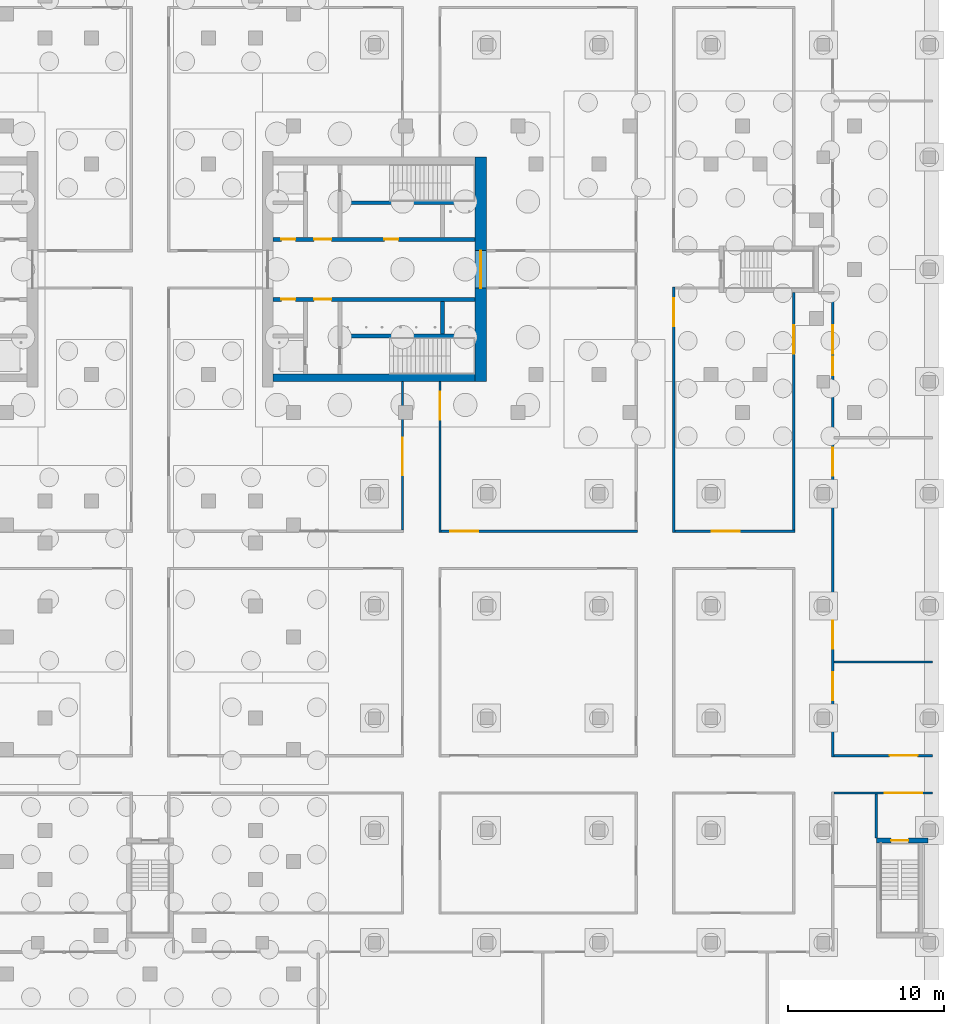
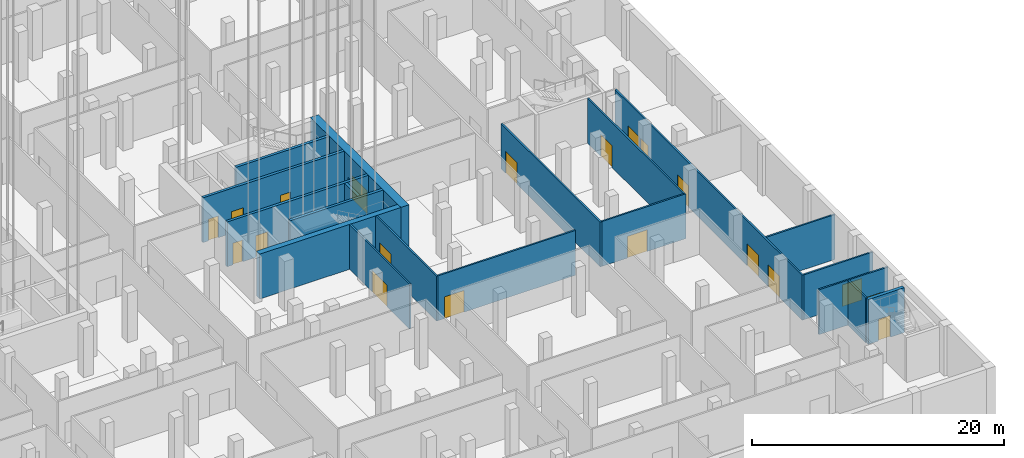
# One storey, part 13 of 54: 20 doors, 19 walls, 20 openings.
"""IFC4 building model written with IfcOpenShell, lengths in metres."""

from ifc_helpers import new_model, si_unit, direction, frame, frame_2d, origin, place, context, subcontext, project, spatial, rectangle, extrude, material, layer, layer_set, type_object, element, fill, save


model = new_model("IFC4")

# Units and contexts
model_context = context("Model", 3, precision=1e-05, world=origin(), true_north=direction((0.0, 1.0)))
body_context = subcontext(model_context, "Body", "Model", "MODEL_VIEW")
ifc_project = project(units=[si_unit("LENGTHUNIT", "METRE"), si_unit("AREAUNIT", "SQUARE_METRE"), si_unit("VOLUMEUNIT", "CUBIC_METRE"), si_unit("PLANEANGLEUNIT", "RADIAN"), si_unit("MASSUNIT", "GRAM", prefix="KILO")], contexts=[model_context])

# Site, building, storey
site_placement = place(None, origin())
site = spatial("IfcSite", under=ifc_project, at=site_placement, CompositionType="ELEMENT")
building_placement = place(site_placement, origin())
building = spatial("IfcBuilding", under=site, at=building_placement, Name="Fustian Cross Tower", CompositionType="ELEMENT")
storey_placement = place(building_placement, frame((0.0, 0.0, -4.800048828125)))
storey = spatial("IfcBuildingStorey", under=building, at=storey_placement, Name="B1", CompositionType="ELEMENT", Elevation=-4.800048828125)

# Wall, opening, door
ifc_material_1 = material(Name="Plasterboard on steel stud", Category="steel")
ifc_layer_1 = layer(ifc_material_1, 0.14990234375)
ifc_layer_set_1 = layer_set([ifc_layer_1], Name="Plasterboard on steel stud")
wall_type_1 = type_object("IfcWallType", Name="COMPARTMENT WALL 150 EI 60", PredefinedType="PARTITIONING", material=ifc_layer_set_1)
wall_1_placement = place(storey_placement, frame((16.199951171875, -16.72509765625, 0.0), z_axis=(0.0, 0.0, 1.0), x_axis=(0.0, 1.0, 0.0)))
wall_1 = element("IfcWall", 1, at=wall_1_placement, inside=storey, type_object=wall_type_1, Name="Partition 126", PredefinedType="PARTITIONING", context=body_context, shape_type="SweptSolid", body=[
    extrude(rectangle(XDim=9.525146484375, YDim=0.14990234375, at=frame_2d((4.7626953125, 0.0))), origin(), (0.0, 0.0, 1.0), 4.35009765625),
])
opening_1_placement = place(wall_1_placement, frame((3.52490234375, 0.0, 0.0)))
opening_1 = element("IfcOpeningElement", 2, at=opening_1_placement, cuts=wall_1, Name="Opening D01047", PredefinedType="OPENING", context=body_context, shape_type="SweptSolid", body=[
    extrude(rectangle(XDim=2.39990234375, YDim=2.10009765625, at=frame_2d((1.199951171875, 1.050048828125))), frame((0.0, 0.0849609375, 0.0), z_axis=(0.0, -1.0, 0.0), x_axis=(1.0, 0.0, 0.0)), (0.0, 0.0, 1.0), 0.169921875),
])
ifc_material_2 = material(Name="Timber fire door set", Category="wood")
door_type_1 = type_object("IfcDoorType", Name="FIRE DOUBLE DOOR 2400 FD30S", OperationType="DOUBLE_DOOR_DOUBLE_SWING", PredefinedType="DOOR", material=ifc_material_2)
door_1_placement = place(opening_1_placement, origin())
door_1 = element("IfcDoor", 3, at=door_1_placement, inside=storey, type_object=door_type_1, Name="Door D01047", OperationType="DOUBLE_DOOR_DOUBLE_SWING", OverallHeight=2.10009765625, OverallWidth=2.39990234375, PredefinedType="DOOR", context=body_context, shape_type="SweptSolid", body=[
    extrude(rectangle(XDim=2.39990234375, YDim=2.10009765625, at=frame_2d((1.199951171875, 1.050048828125))), frame((0.0, 0.02490234375, 0.0), z_axis=(0.0, -1.0, 0.0), x_axis=(1.0, 0.0, 0.0)), (0.0, 0.0, 1.0), 0.050048828125),
])
fill(opening_1, door_1)

wall_2_placement = place(storey_placement, frame((18.60009765625, -16.875, 0.0), z_axis=(0.0, 0.0, 1.0), x_axis=(0.0, 1.0, 0.0)))
wall_2 = element("IfcWall", 4, at=wall_2_placement, inside=storey, type_object=wall_type_1, Name="Partition 136", PredefinedType="PARTITIONING", context=body_context, shape_type="SweptSolid", body=[
    extrude(rectangle(XDim=9.675048828125, YDim=0.14990234375, at=frame_2d((4.83740234375, 0.0))), origin(), (0.0, 0.0, 1.0), 4.35009765625),
])
opening_2_placement = place(wall_2_placement, frame((7.22509765625, 0.0, 0.0)))
opening_2 = element("IfcOpeningElement", 5, at=opening_2_placement, cuts=wall_2, Name="Opening D01099", PredefinedType="OPENING", context=body_context, shape_type="SweptSolid", body=[
    extrude(rectangle(XDim=1.800048828125, YDim=2.10009765625, at=frame_2d((0.89990234375, 1.050048828125))), frame((0.0, 0.0849609375, 0.0), z_axis=(0.0, -1.0, 0.0), x_axis=(1.0, 0.0, 0.0)), (0.0, 0.0, 1.0), 0.169921875),
])
ifc_material_3 = material(Name="Timber fire door set", Category="wood")
door_type_2 = type_object("IfcDoorType", Name="FIRE DOUBLE DOOR 1800 FD30S", OperationType="DOUBLE_DOOR_DOUBLE_SWING", PredefinedType="DOOR", material=ifc_material_3)
door_2_placement = place(opening_2_placement, origin())
door_2 = element("IfcDoor", 6, at=door_2_placement, inside=storey, type_object=door_type_2, Name="Door D01099", OperationType="DOUBLE_DOOR_DOUBLE_SWING", OverallHeight=2.10009765625, OverallWidth=1.800048828125, PredefinedType="DOOR", context=body_context, shape_type="SweptSolid", body=[
    extrude(rectangle(XDim=1.800048828125, YDim=2.10009765625, at=frame_2d((0.89990234375, 1.050048828125))), frame((0.0, 0.02490234375, 0.0), z_axis=(0.0, -1.0, 0.0), x_axis=(1.0, 0.0, 0.0)), (0.0, 0.0, 1.0), 0.050048828125),
])
fill(opening_2, door_2)

wall_3_placement = place(storey_placement, frame((18.675048828125, -16.800048828125, 0.0), z_axis=(0.0, 0.0, 1.0), x_axis=(1.0, 0.0, 0.0)))
wall_3 = element("IfcWall", 7, at=wall_3_placement, inside=storey, type_object=wall_type_1, Name="Partition 137", PredefinedType="PARTITIONING", context=body_context, shape_type="SweptSolid", body=[
    extrude(rectangle(XDim=12.599853515625, YDim=0.14990234375, at=frame_2d((6.2998046875, 0.0))), origin(), (0.0, 0.0, 1.0), 4.35009765625),
])
opening_3_placement = place(wall_3_placement, frame((0.574951171875, 0.0, 0.0)))
opening_3 = element("IfcOpeningElement", 8, at=opening_3_placement, cuts=wall_3, Name="Opening D01100", PredefinedType="OPENING", context=body_context, shape_type="SweptSolid", body=[
    extrude(rectangle(XDim=1.800048828125, YDim=2.10009765625, at=frame_2d((0.89990234375, 1.050048828125))), frame((0.0, 0.0849609375, 0.0), z_axis=(0.0, -1.0, 0.0), x_axis=(1.0, 0.0, 0.0)), (0.0, 0.0, 1.0), 0.169921875),
])
door_3_placement = place(opening_3_placement, frame((1.800048828125, 0.0, 0.0), z_axis=(0.0, 0.0, 1.0), x_axis=(-1.0, 0.0, 0.0)))
door_3 = element("IfcDoor", 9, at=door_3_placement, inside=storey, type_object=door_type_2, Name="Door D01100", OperationType="DOUBLE_DOOR_DOUBLE_SWING", OverallHeight=2.10009765625, OverallWidth=1.800048828125, PredefinedType="DOOR", context=body_context, shape_type="SweptSolid", body=[
    extrude(rectangle(XDim=1.800048828125, YDim=2.10009765625, at=frame_2d((0.89990234375, 1.050048828125))), frame((0.0, 0.02490234375, 0.0), z_axis=(0.0, -1.0, 0.0), x_axis=(1.0, 0.0, 0.0)), (0.0, 0.0, 1.0), 0.050048828125),
])
fill(opening_3, door_3)

wall_4_placement = place(storey_placement, frame((33.60009765625, -16.875, 0.0), z_axis=(0.0, 0.0, 1.0), x_axis=(0.0, 1.0, 0.0)))
wall_4 = element("IfcWall", 10, at=wall_4_placement, inside=storey, type_object=wall_type_1, Name="Partition 161", PredefinedType="PARTITIONING", context=body_context, shape_type="SweptSolid", body=[
    extrude(rectangle(XDim=15.75, YDim=0.14990234375, at=frame_2d((7.875, 0.0))), origin(), (0.0, 0.0, 1.0), 4.35009765625),
])
opening_4_placement = place(wall_4_placement, frame((13.22509765625, 0.0, 0.0)))
opening_4 = element("IfcOpeningElement", 11, at=opening_4_placement, cuts=wall_4, Name="Opening D01172", PredefinedType="OPENING", context=body_context, shape_type="SweptSolid", body=[
    extrude(rectangle(XDim=1.800048828125, YDim=2.10009765625, at=frame_2d((0.89990234375, 1.050048828125))), frame((0.0, 0.0849609375, 0.0), z_axis=(0.0, -1.0, 0.0), x_axis=(1.0, 0.0, 0.0)), (0.0, 0.0, 1.0), 0.169921875),
])
door_4_placement = place(opening_4_placement, origin())
door_4 = element("IfcDoor", 12, at=door_4_placement, inside=storey, type_object=door_type_2, Name="Door D01172", OperationType="DOUBLE_DOOR_DOUBLE_SWING", OverallHeight=2.10009765625, OverallWidth=1.800048828125, PredefinedType="DOOR", context=body_context, shape_type="SweptSolid", body=[
    extrude(rectangle(XDim=1.800048828125, YDim=2.10009765625, at=frame_2d((0.89990234375, 1.050048828125))), frame((0.0, 0.02490234375, 0.0), z_axis=(0.0, -1.0, 0.0), x_axis=(1.0, 0.0, 0.0)), (0.0, 0.0, 1.0), 0.050048828125),
])
fill(opening_4, door_4)

wall_5_placement = place(storey_placement, frame((33.675048828125, -16.800048828125, 0.0), z_axis=(0.0, 0.0, 1.0), x_axis=(1.0, 0.0, 0.0)))
wall_5 = element("IfcWall", 13, at=wall_5_placement, inside=storey, type_object=wall_type_1, Name="Partition 162", PredefinedType="PARTITIONING", context=body_context, shape_type="SweptSolid", body=[
    extrude(rectangle(XDim=7.699951171875, YDim=0.14990234375, at=frame_2d((3.85009765625, 0.0))), origin(), (0.0, 0.0, 1.0), 4.35009765625),
])
opening_5_placement = place(wall_5_placement, frame((2.375, 0.0, 0.0)))
opening_5 = element("IfcOpeningElement", 14, at=opening_5_placement, cuts=wall_5, Name="Opening D01173", PredefinedType="OPENING", context=body_context, shape_type="SweptSolid", body=[
    extrude(rectangle(XDim=1.800048828125, YDim=2.10009765625, at=frame_2d((0.89990234375, 1.050048828125))), frame((0.0, 0.0849609375, 0.0), z_axis=(0.0, -1.0, 0.0), x_axis=(1.0, 0.0, 0.0)), (0.0, 0.0, 1.0), 0.169921875),
])
door_5_placement = place(opening_5_placement, frame((1.800048828125, 0.0, 0.0), z_axis=(0.0, 0.0, 1.0), x_axis=(-1.0, 0.0, 0.0)))
door_5 = element("IfcDoor", 15, at=door_5_placement, inside=storey, type_object=door_type_2, Name="Door D01173", OperationType="DOUBLE_DOOR_DOUBLE_SWING", OverallHeight=2.10009765625, OverallWidth=1.800048828125, PredefinedType="DOOR", context=body_context, shape_type="SweptSolid", body=[
    extrude(rectangle(XDim=1.800048828125, YDim=2.10009765625, at=frame_2d((0.89990234375, 1.050048828125))), frame((0.0, 0.02490234375, 0.0), z_axis=(0.0, -1.0, 0.0), x_axis=(1.0, 0.0, 0.0)), (0.0, 0.0, 1.0), 0.050048828125),
])
fill(opening_5, door_5)

wall_6_placement = place(storey_placement, frame((41.300048828125, -16.72509765625, 0.0), z_axis=(0.0, 0.0, 1.0), x_axis=(0.0, 1.0, 0.0)))
wall_6 = element("IfcWall", 16, at=wall_6_placement, inside=storey, type_object=wall_type_1, Name="Partition 177", PredefinedType="PARTITIONING", context=body_context, shape_type="SweptSolid", body=[
    extrude(rectangle(XDim=15.22509765625, YDim=0.14990234375, at=frame_2d((7.612548828125, 0.0))), origin(), (0.0, 0.0, 1.0), 4.35009765625),
])
opening_6_placement = place(wall_6_placement, frame((11.324951171875, 0.0, 0.0)))
opening_6 = element("IfcOpeningElement", 17, at=opening_6_placement, cuts=wall_6, Name="Opening D01174", PredefinedType="OPENING", context=body_context, shape_type="SweptSolid", body=[
    extrude(rectangle(XDim=1.800048828125, YDim=2.10009765625, at=frame_2d((0.89990234375, 1.050048828125))), frame((0.0, 0.0849609375, 0.0), z_axis=(0.0, -1.0, 0.0), x_axis=(1.0, 0.0, 0.0)), (0.0, 0.0, 1.0), 0.169921875),
])
door_6_placement = place(opening_6_placement, frame((1.800048828125, 0.0, 0.0), z_axis=(0.0, 0.0, 1.0), x_axis=(-1.0, 0.0, 0.0)))
door_6 = element("IfcDoor", 18, at=door_6_placement, inside=storey, type_object=door_type_2, Name="Door D01174", OperationType="DOUBLE_DOOR_DOUBLE_SWING", OverallHeight=2.10009765625, OverallWidth=1.800048828125, PredefinedType="DOOR", context=body_context, shape_type="SweptSolid", body=[
    extrude(rectangle(XDim=1.800048828125, YDim=2.10009765625, at=frame_2d((0.89990234375, 1.050048828125))), frame((0.0, 0.02490234375, 0.0), z_axis=(0.0, -1.0, 0.0), x_axis=(1.0, 0.0, 0.0)), (0.0, 0.0, 1.0), 0.050048828125),
])
fill(opening_6, door_6)

wall_7_placement = place(storey_placement, frame((43.875, -33.60009765625, 0.0), z_axis=(0.0, 0.0, 1.0), x_axis=(1.0, 0.0, 0.0)))
wall_7 = element("IfcWall", 19, at=wall_7_placement, inside=storey, type_object=wall_type_1, Name="Partition 185", PredefinedType="PARTITIONING", context=body_context, shape_type="SweptSolid", body=[
    extrude(rectangle(XDim=6.344970703125, YDim=0.14990234375, at=frame_2d((3.17236328125, 0.0))), origin(), (0.0, 0.0, 1.0), 4.35009765625),
])
opening_7_placement = place(wall_7_placement, frame((3.27490234375, 0.0, 0.0)))
opening_7 = element("IfcOpeningElement", 20, at=opening_7_placement, cuts=wall_7, Name="Opening D01046", PredefinedType="OPENING", context=body_context, shape_type="SweptSolid", body=[
    extrude(rectangle(XDim=2.39990234375, YDim=2.10009765625, at=frame_2d((1.199951171875, 1.050048828125))), frame((0.0, 0.0849609375, 0.0), z_axis=(0.0, -1.0, 0.0), x_axis=(1.0, 0.0, 0.0)), (0.0, 0.0, 1.0), 0.169921875),
])
door_7_placement = place(opening_7_placement, frame((2.39990234375, 0.0, 0.0), z_axis=(0.0, 0.0, 1.0), x_axis=(-1.0, 0.0, 0.0)))
door_7 = element("IfcDoor", 21, at=door_7_placement, inside=storey, type_object=door_type_1, Name="Door D01046", OperationType="DOUBLE_DOOR_DOUBLE_SWING", OverallHeight=2.10009765625, OverallWidth=2.39990234375, PredefinedType="DOOR", context=body_context, shape_type="SweptSolid", body=[
    extrude(rectangle(XDim=2.39990234375, YDim=2.10009765625, at=frame_2d((1.199951171875, 1.050048828125))), frame((0.0, 0.02490234375, 0.0), z_axis=(0.0, -1.0, 0.0), x_axis=(1.0, 0.0, 0.0)), (0.0, 0.0, 1.0), 0.050048828125),
])
fill(opening_7, door_7)

# Wall, openings, doors
wall_8_placement = place(storey_placement, frame((43.800048828125, -31.27490234375, 0.0), z_axis=(0.0, 0.0, 1.0), x_axis=(0.0, 1.0, 0.0)))
wall_8 = element("IfcWall", 22, at=wall_8_placement, inside=storey, type_object=wall_type_1, Name="Partition 186", PredefinedType="PARTITIONING", context=body_context, shape_type="SweptSolid", body=[
    extrude(rectangle(XDim=29.699951171875, YDim=0.14990234375, at=frame_2d((14.85009765625, 0.0))), origin(), (0.0, 0.0, 1.0), 4.35009765625),
])
opening_8_placement = place(wall_8_placement, frame((3.625, 0.0, 0.0)))
opening_8 = element("IfcOpeningElement", 23, at=opening_8_placement, cuts=wall_8, Name="Opening D01009", PredefinedType="OPENING", context=body_context, shape_type="SweptSolid", body=[
    extrude(rectangle(XDim=1.800048828125, YDim=2.10009765625, at=frame_2d((0.89990234375, 1.050048828125))), frame((0.0, 0.0849609375, 0.0), z_axis=(0.0, -1.0, 0.0), x_axis=(1.0, 0.0, 0.0)), (0.0, 0.0, 1.0), 0.169921875),
])
opening_9_placement = place(wall_8_placement, frame((24.47509765625, 0.0, 0.0)))
opening_9 = element("IfcOpeningElement", 24, at=opening_9_placement, cuts=wall_8, Name="Opening D01165", PredefinedType="OPENING", context=body_context, shape_type="SweptSolid", body=[
    extrude(rectangle(XDim=1.199951171875, YDim=2.10009765625, at=frame_2d((0.60009765625, 1.050048828125))), frame((0.0, 0.0849609375, 0.0), z_axis=(0.0, -1.0, 0.0), x_axis=(1.0, 0.0, 0.0)), (0.0, 0.0, 1.0), 0.169921875),
])
opening_10_placement = place(wall_8_placement, frame((25.875, 0.0, 0.0)))
opening_10 = element("IfcOpeningElement", 25, at=opening_10_placement, cuts=wall_8, Name="Opening D01166", PredefinedType="OPENING", context=body_context, shape_type="SweptSolid", body=[
    extrude(rectangle(XDim=1.800048828125, YDim=2.10009765625, at=frame_2d((0.89990234375, 1.050048828125))), frame((0.0, 0.0849609375, 0.0), z_axis=(0.0, -1.0, 0.0), x_axis=(1.0, 0.0, 0.0)), (0.0, 0.0, 1.0), 0.169921875),
])
opening_11_placement = place(wall_8_placement, frame((6.925048828125, 0.0, 0.0)))
opening_11 = element("IfcOpeningElement", 26, at=opening_11_placement, cuts=wall_8, Name="Opening D01177", PredefinedType="OPENING", context=body_context, shape_type="SweptSolid", body=[
    extrude(rectangle(XDim=1.800048828125, YDim=2.10009765625, at=frame_2d((0.89990234375, 1.050048828125))), frame((0.0, 0.0849609375, 0.0), z_axis=(0.0, -1.0, 0.0), x_axis=(1.0, 0.0, 0.0)), (0.0, 0.0, 1.0), 0.169921875),
])
opening_12_placement = place(wall_8_placement, frame((18.02490234375, 0.0, 0.0)))
opening_12 = element("IfcOpeningElement", 27, at=opening_12_placement, cuts=wall_8, Name="Opening D01178", PredefinedType="OPENING", context=body_context, shape_type="SweptSolid", body=[
    extrude(rectangle(XDim=1.800048828125, YDim=2.10009765625, at=frame_2d((0.89990234375, 1.050048828125))), frame((0.0, 0.0849609375, 0.0), z_axis=(0.0, -1.0, 0.0), x_axis=(1.0, 0.0, 0.0)), (0.0, 0.0, 1.0), 0.169921875),
])
door_8_placement = place(opening_8_placement, origin())
door_8 = element("IfcDoor", 28, at=door_8_placement, inside=storey, type_object=door_type_2, Name="Door D01009", OperationType="DOUBLE_DOOR_DOUBLE_SWING", OverallHeight=2.10009765625, OverallWidth=1.800048828125, PredefinedType="DOOR", context=body_context, shape_type="SweptSolid", body=[
    extrude(rectangle(XDim=1.800048828125, YDim=2.10009765625, at=frame_2d((0.89990234375, 1.050048828125))), frame((0.0, 0.02490234375, 0.0), z_axis=(0.0, -1.0, 0.0), x_axis=(1.0, 0.0, 0.0)), (0.0, 0.0, 1.0), 0.050048828125),
])
fill(opening_8, door_8)
door_9_placement = place(opening_10_placement, origin())
door_9 = element("IfcDoor", 29, at=door_9_placement, inside=storey, type_object=door_type_2, Name="Door D01166", OperationType="DOUBLE_DOOR_DOUBLE_SWING", OverallHeight=2.10009765625, OverallWidth=1.800048828125, PredefinedType="DOOR", context=body_context, shape_type="SweptSolid", body=[
    extrude(rectangle(XDim=1.800048828125, YDim=2.10009765625, at=frame_2d((0.89990234375, 1.050048828125))), frame((0.0, 0.02490234375, 0.0), z_axis=(0.0, -1.0, 0.0), x_axis=(1.0, 0.0, 0.0)), (0.0, 0.0, 1.0), 0.050048828125),
])
fill(opening_10, door_9)
door_10_placement = place(opening_11_placement, origin())
door_10 = element("IfcDoor", 30, at=door_10_placement, inside=storey, type_object=door_type_2, Name="Door D01177", OperationType="DOUBLE_DOOR_DOUBLE_SWING", OverallHeight=2.10009765625, OverallWidth=1.800048828125, PredefinedType="DOOR", context=body_context, shape_type="SweptSolid", body=[
    extrude(rectangle(XDim=1.800048828125, YDim=2.10009765625, at=frame_2d((0.89990234375, 1.050048828125))), frame((0.0, 0.02490234375, 0.0), z_axis=(0.0, -1.0, 0.0), x_axis=(1.0, 0.0, 0.0)), (0.0, 0.0, 1.0), 0.050048828125),
])
fill(opening_11, door_10)
door_11_placement = place(opening_12_placement, origin())
door_11 = element("IfcDoor", 31, at=door_11_placement, inside=storey, type_object=door_type_2, Name="Door D01178", OperationType="DOUBLE_DOOR_DOUBLE_SWING", OverallHeight=2.10009765625, OverallWidth=1.800048828125, PredefinedType="DOOR", context=body_context, shape_type="SweptSolid", body=[
    extrude(rectangle(XDim=1.800048828125, YDim=2.10009765625, at=frame_2d((0.89990234375, 1.050048828125))), frame((0.0, 0.02490234375, 0.0), z_axis=(0.0, -1.0, 0.0), x_axis=(1.0, 0.0, 0.0)), (0.0, 0.0, 1.0), 0.050048828125),
])
fill(opening_12, door_11)
ifc_material_4 = material(Name="Timber fire door set", Category="wood")
door_type_3 = type_object("IfcDoorType", Name="FIRE SWING DOOR 1200 FD30S", OperationType="SINGLE_SWING_LEFT", PredefinedType="DOOR", material=ifc_material_4)
door_12_placement = place(opening_9_placement, origin())
door_12 = element("IfcDoor", 32, at=door_12_placement, inside=storey, type_object=door_type_3, Name="Door D01165", OperationType="SINGLE_SWING_RIGHT", OverallHeight=2.10009765625, OverallWidth=1.199951171875, PredefinedType="DOOR", context=body_context, shape_type="SweptSolid", body=[
    extrude(rectangle(XDim=1.199951171875, YDim=2.10009765625, at=frame_2d((0.60009765625, 1.050048828125))), frame((0.0, 0.02490234375, 0.0), z_axis=(0.0, -1.0, 0.0), x_axis=(1.0, 0.0, 0.0)), (0.0, 0.0, 1.0), 0.050048828125),
])
fill(opening_9, door_12)

# Wall, opening, door
wall_9_placement = place(storey_placement, frame((43.875, -31.199951171875, 0.0), z_axis=(0.0, 0.0, 1.0), x_axis=(1.0, 0.0, 0.0)))
wall_9 = element("IfcWall", 33, at=wall_9_placement, inside=storey, type_object=wall_type_1, Name="Partition 187", PredefinedType="PARTITIONING", context=body_context, shape_type="SweptSolid", body=[
    extrude(rectangle(XDim=6.344970703125, YDim=0.14990234375, at=frame_2d((3.17236328125, 0.0))), origin(), (0.0, 0.0, 1.0), 4.35009765625),
])
opening_13_placement = place(wall_9_placement, frame((3.574951171875, 0.0, 0.0)))
opening_13 = element("IfcOpeningElement", 34, at=opening_13_placement, cuts=wall_9, Name="Opening D01010", PredefinedType="OPENING", context=body_context, shape_type="SweptSolid", body=[
    extrude(rectangle(XDim=1.800048828125, YDim=2.10009765625, at=frame_2d((0.89990234375, 1.050048828125))), frame((0.0, 0.0849609375, 0.0), z_axis=(0.0, -1.0, 0.0), x_axis=(1.0, 0.0, 0.0)), (0.0, 0.0, 1.0), 0.169921875),
])
door_13_placement = place(opening_13_placement, frame((1.800048828125, 0.0, 0.0), z_axis=(0.0, 0.0, 1.0), x_axis=(-1.0, 0.0, 0.0)))
door_13 = element("IfcDoor", 35, at=door_13_placement, inside=storey, type_object=door_type_2, Name="Door D01010", OperationType="DOUBLE_DOOR_DOUBLE_SWING", OverallHeight=2.10009765625, OverallWidth=1.800048828125, PredefinedType="DOOR", context=body_context, shape_type="SweptSolid", body=[
    extrude(rectangle(XDim=1.800048828125, YDim=2.10009765625, at=frame_2d((0.89990234375, 1.050048828125))), frame((0.0, 0.02490234375, 0.0), z_axis=(0.0, -1.0, 0.0), x_axis=(1.0, 0.0, 0.0)), (0.0, 0.0, 1.0), 0.050048828125),
])
fill(opening_13, door_13)

# Walls
wall_10_placement = place(storey_placement, frame((43.875, -25.199951171875, 0.0), z_axis=(0.0, 0.0, 1.0), x_axis=(1.0, 0.0, 0.0)))
element("IfcWall", 36, at=wall_10_placement, inside=storey, type_object=wall_type_1, Name="Partition 188", PredefinedType="PARTITIONING", context=body_context, shape_type="SweptSolid", body=[
    extrude(rectangle(XDim=6.344970703125, YDim=0.14990234375, at=frame_2d((3.17236328125, 0.0))), origin(), (0.0, 0.0, 1.0), 4.35009765625),
])
wall_11_placement = place(storey_placement, frame((46.60009765625, -36.5, 0.0), z_axis=(0.0, 0.0, 1.0), x_axis=(0.0, 1.0, 0.0)))
element("IfcWall", 37, at=wall_11_placement, inside=storey, type_object=wall_type_1, Name="Partition 197", PredefinedType="PARTITIONING", context=body_context, shape_type="SweptSolid", body=[
    extrude(rectangle(XDim=2.824951171875, YDim=0.14990234375, at=frame_2d((1.41259765625, 0.0))), origin(), (0.0, 0.0, 1.0), 4.35009765625),
])
ifc_material_5 = material(Name="Concrete C80/95", Category="concrete")
ifc_layer_2 = layer(ifc_material_5, 0.5)
ifc_layer_set_2 = layer_set([ifc_layer_2], Name="Concrete C80/95")
wall_type_2 = type_object("IfcWallType", Name="CORE BASE WALL 500 C80/95", PredefinedType="SHEAR", material=ifc_layer_set_2)
wall_12_placement = place(storey_placement, frame((7.89990234375, -6.949951171875, 0.0), z_axis=(0.0, 0.0, 1.0), x_axis=(1.0, 0.0, 0.0)))
element("IfcWall", 38, at=wall_12_placement, inside=storey, type_object=wall_type_2, Name="Core facade wall", PredefinedType="SHEAR", context=body_context, shape_type="SweptSolid", body=[
    extrude(rectangle(XDim=12.9501953125, YDim=0.5, at=frame_2d((6.47509765625, 0.0))), origin(), (0.0, 0.0, 1.0), 4.35009765625),
])

# Wall, opening, door
ifc_material_6 = material(Name="Concrete C80/95", Category="concrete")
ifc_layer_3 = layer(ifc_material_6, 0.75)
ifc_layer_set_3 = layer_set([ifc_layer_3], Name="Concrete C80/95")
wall_type_3 = type_object("IfcWallType", Name="CORE END WALL 750 C80/95", PredefinedType="SHEAR", material=ifc_layer_set_3)
wall_13_placement = place(storey_placement, frame((21.22509765625, -7.199951171875, 0.0), z_axis=(0.0, 0.0, 1.0), x_axis=(0.0, 1.0, 0.0)))
wall_13 = element("IfcWall", 39, at=wall_13_placement, inside=storey, type_object=wall_type_3, Name="Core end wall", PredefinedType="SHEAR", context=body_context, shape_type="SweptSolid", body=[
    extrude(rectangle(XDim=14.39990234375, YDim=0.75, at=frame_2d((7.199951171875, 0.0))), origin(), (0.0, 0.0, 1.0), 4.35009765625),
])
opening_14_placement = place(wall_13_placement, frame((6.0, 0.0, 0.0)))
opening_14 = element("IfcOpeningElement", 40, at=opening_14_placement, cuts=wall_13, Name="Opening CD-01-10", PredefinedType="OPENING", context=body_context, shape_type="SweptSolid", body=[
    extrude(rectangle(XDim=2.39990234375, YDim=2.199951171875, at=frame_2d((1.199951171875, 1.10009765625))), frame((0.0, 0.385009765625, 0.0), z_axis=(0.0, -1.0, 0.0), x_axis=(1.0, 0.0, 0.0)), (0.0, 0.0, 1.0), 0.77001953125),
])
ifc_material_7 = material(Name="Steel", Category="steel")
door_type_4 = type_object("IfcDoorType", Name="FIRE DOOR FD30S DOUBLE 2400X2200", OperationType="DOUBLE_DOOR_DOUBLE_SWING", PredefinedType="DOOR", material=ifc_material_7)
door_14_placement = place(opening_14_placement, origin())
door_14 = element("IfcDoor", 41, at=door_14_placement, inside=storey, type_object=door_type_4, Name="Core door CD-01-10", OperationType="DOUBLE_DOOR_DOUBLE_SWING", OverallHeight=2.199951171875, OverallWidth=2.39990234375, PredefinedType="DOOR", context=body_context, shape_type="SweptSolid", body=[
    extrude(rectangle(XDim=2.39990234375, YDim=2.199951171875, at=frame_2d((1.199951171875, 1.10009765625))), frame((0.0, 0.02490234375, 0.0), z_axis=(0.0, -1.0, 0.0), x_axis=(1.0, 0.0, 0.0)), (0.0, 0.0, 1.0), 0.050048828125),
])
fill(opening_14, door_14)

# Wall, openings, doors
ifc_material_8 = material(Name="Concrete C50/60", Category="concrete")
ifc_layer_4 = layer(ifc_material_8, 0.25)
ifc_layer_set_4 = layer_set([ifc_layer_4], Name="Concrete C50/60")
wall_type_4 = type_object("IfcWallType", Name="CORE LOBBY WALL 250 C50/60", PredefinedType="SHEAR", material=ifc_layer_set_4)
wall_14_placement = place(storey_placement, frame((7.89990234375, 1.925048828125, 0.0), z_axis=(0.0, 0.0, 1.0), x_axis=(1.0, 0.0, 0.0)))
wall_14 = element("IfcWall", 42, at=wall_14_placement, inside=storey, type_object=wall_type_4, Name="Core lobby wall", PredefinedType="SHEAR", context=body_context, shape_type="SweptSolid", body=[
    extrude(rectangle(XDim=12.9501953125, YDim=0.25, at=frame_2d((6.47509765625, 0.0))), origin(), (0.0, 0.0, 1.0), 4.35009765625),
])
opening_15_placement = place(wall_14_placement, frame((0.52490234375, 0.0, 0.0)))
opening_15 = element("IfcOpeningElement", 43, at=opening_15_placement, cuts=wall_14, Name="Opening CD-01-05", PredefinedType="OPENING", context=body_context, shape_type="SweptSolid", body=[
    extrude(rectangle(XDim=0.89990234375, YDim=2.10009765625, at=frame_2d((0.449951171875, 1.050048828125))), frame((0.0, 0.135009765625, 0.0), z_axis=(0.0, -1.0, 0.0), x_axis=(1.0, 0.0, 0.0)), (0.0, 0.0, 1.0), 0.27001953125),
])
opening_16_placement = place(wall_14_placement, frame((2.625, 0.0, 0.0)))
opening_16 = element("IfcOpeningElement", 44, at=opening_16_placement, cuts=wall_14, Name="Opening CD-01-07", PredefinedType="OPENING", context=body_context, shape_type="SweptSolid", body=[
    extrude(rectangle(XDim=1.10009765625, YDim=2.10009765625, at=frame_2d((0.550048828125, 1.050048828125))), frame((0.0, 0.135009765625, 0.0), z_axis=(0.0, -1.0, 0.0), x_axis=(1.0, 0.0, 0.0)), (0.0, 0.0, 1.0), 0.27001953125),
])
opening_17_placement = place(wall_14_placement, frame((7.125, 0.0, 0.0)))
opening_17 = element("IfcOpeningElement", 45, at=opening_17_placement, cuts=wall_14, Name="Opening CD-01-11", PredefinedType="OPENING", context=body_context, shape_type="SweptSolid", body=[
    extrude(rectangle(XDim=0.89990234375, YDim=2.10009765625, at=frame_2d((0.449951171875, 1.050048828125))), frame((0.0, 0.135009765625, 0.0), z_axis=(0.0, -1.0, 0.0), x_axis=(1.0, 0.0, 0.0)), (0.0, 0.0, 1.0), 0.27001953125),
])
ifc_material_9 = material(Name="Steel", Category="steel")
door_type_5 = type_object("IfcDoorType", Name="FIRE DOOR FD30S 900X2100", OperationType="SINGLE_SWING_LEFT", PredefinedType="DOOR", material=ifc_material_9)
door_15_placement = place(opening_17_placement, origin())
door_15 = element("IfcDoor", 46, at=door_15_placement, inside=storey, type_object=door_type_5, Name="Core door CD-01-11", OperationType="SINGLE_SWING_LEFT", OverallHeight=2.10009765625, OverallWidth=0.89990234375, PredefinedType="DOOR", context=body_context, shape_type="SweptSolid", body=[
    extrude(rectangle(XDim=0.89990234375, YDim=2.10009765625, at=frame_2d((0.449951171875, 1.050048828125))), frame((0.0, 0.02490234375, 0.0), z_axis=(0.0, -1.0, 0.0), x_axis=(1.0, 0.0, 0.0)), (0.0, 0.0, 1.0), 0.050048828125),
])
fill(opening_17, door_15)
ifc_material_10 = material(Name="Steel", Category="steel")
door_type_6 = type_object("IfcDoorType", Name="FIRE DOOR FD60S 1100X2100", OperationType="SINGLE_SWING_LEFT", PredefinedType="DOOR", material=ifc_material_10)
door_16_placement = place(opening_16_placement, frame((1.10009765625, 0.0, 0.0), z_axis=(0.0, 0.0, 1.0), x_axis=(-1.0, 0.0, 0.0)))
door_16 = element("IfcDoor", 47, at=door_16_placement, inside=storey, type_object=door_type_6, Name="Core door CD-01-07", OperationType="SINGLE_SWING_RIGHT", OverallHeight=2.10009765625, OverallWidth=1.10009765625, PredefinedType="DOOR", context=body_context, shape_type="SweptSolid", body=[
    extrude(rectangle(XDim=1.10009765625, YDim=2.10009765625, at=frame_2d((0.550048828125, 1.050048828125))), frame((0.0, 0.02490234375, 0.0), z_axis=(0.0, -1.0, 0.0), x_axis=(1.0, 0.0, 0.0)), (0.0, 0.0, 1.0), 0.050048828125),
])
fill(opening_16, door_16)
ifc_material_11 = material(Name="Steel", Category="steel")
door_type_7 = type_object("IfcDoorType", Name="FIRE DOOR FD60S 900X2100", OperationType="SINGLE_SWING_LEFT", PredefinedType="DOOR", material=ifc_material_11)
door_17_placement = place(opening_15_placement, origin())
door_17 = element("IfcDoor", 48, at=door_17_placement, inside=storey, type_object=door_type_7, Name="Core door CD-01-05", OperationType="SINGLE_SWING_LEFT", OverallHeight=2.10009765625, OverallWidth=0.89990234375, PredefinedType="DOOR", context=body_context, shape_type="SweptSolid", body=[
    extrude(rectangle(XDim=0.89990234375, YDim=2.10009765625, at=frame_2d((0.449951171875, 1.050048828125))), frame((0.0, 0.02490234375, 0.0), z_axis=(0.0, -1.0, 0.0), x_axis=(1.0, 0.0, 0.0)), (0.0, 0.0, 1.0), 0.050048828125),
])
fill(opening_15, door_17)

wall_15_placement = place(storey_placement, frame((7.89990234375, -1.925048828125, 0.0), z_axis=(0.0, 0.0, 1.0), x_axis=(1.0, 0.0, 0.0)))
wall_15 = element("IfcWall", 49, at=wall_15_placement, inside=storey, type_object=wall_type_4, Name="Core lobby wall", PredefinedType="SHEAR", context=body_context, shape_type="SweptSolid", body=[
    extrude(rectangle(XDim=12.9501953125, YDim=0.25, at=frame_2d((6.47509765625, 0.0))), origin(), (0.0, 0.0, 1.0), 4.35009765625),
])
opening_18_placement = place(wall_15_placement, frame((0.52490234375, 0.0, 0.0)))
opening_18 = element("IfcOpeningElement", 50, at=opening_18_placement, cuts=wall_15, Name="Opening CD-01-06", PredefinedType="OPENING", context=body_context, shape_type="SweptSolid", body=[
    extrude(rectangle(XDim=0.89990234375, YDim=2.10009765625, at=frame_2d((0.449951171875, 1.050048828125))), frame((0.0, 0.135009765625, 0.0), z_axis=(0.0, -1.0, 0.0), x_axis=(1.0, 0.0, 0.0)), (0.0, 0.0, 1.0), 0.27001953125),
])
opening_19_placement = place(wall_15_placement, frame((2.625, 0.0, 0.0)))
opening_19 = element("IfcOpeningElement", 51, at=opening_19_placement, cuts=wall_15, Name="Opening CD-01-08", PredefinedType="OPENING", context=body_context, shape_type="SweptSolid", body=[
    extrude(rectangle(XDim=1.10009765625, YDim=2.10009765625, at=frame_2d((0.550048828125, 1.050048828125))), frame((0.0, 0.135009765625, 0.0), z_axis=(0.0, -1.0, 0.0), x_axis=(1.0, 0.0, 0.0)), (0.0, 0.0, 1.0), 0.27001953125),
])
ifc_material_12 = material(Name="Steel", Category="steel")
door_type_8 = type_object("IfcDoorType", Name="FIRE DOOR FD30S 1100X2100", OperationType="SINGLE_SWING_LEFT", PredefinedType="DOOR", material=ifc_material_12)
door_18_placement = place(opening_19_placement, frame((1.10009765625, 0.0, 0.0), z_axis=(0.0, 0.0, 1.0), x_axis=(-1.0, 0.0, 0.0)))
door_18 = element("IfcDoor", 52, at=door_18_placement, inside=storey, type_object=door_type_8, Name="Core door CD-01-08", OperationType="SINGLE_SWING_RIGHT", OverallHeight=2.10009765625, OverallWidth=1.10009765625, PredefinedType="DOOR", context=body_context, shape_type="SweptSolid", body=[
    extrude(rectangle(XDim=1.10009765625, YDim=2.10009765625, at=frame_2d((0.550048828125, 1.050048828125))), frame((0.0, 0.02490234375, 0.0), z_axis=(0.0, -1.0, 0.0), x_axis=(1.0, 0.0, 0.0)), (0.0, 0.0, 1.0), 0.050048828125),
])
fill(opening_19, door_18)
door_19_placement = place(opening_18_placement, frame((0.89990234375, 0.0, 0.0), z_axis=(0.0, 0.0, 1.0), x_axis=(-1.0, 0.0, 0.0)))
door_19 = element("IfcDoor", 53, at=door_19_placement, inside=storey, type_object=door_type_5, Name="Core door CD-01-06", OperationType="SINGLE_SWING_RIGHT", OverallHeight=2.10009765625, OverallWidth=0.89990234375, PredefinedType="DOOR", context=body_context, shape_type="SweptSolid", body=[
    extrude(rectangle(XDim=0.89990234375, YDim=2.10009765625, at=frame_2d((0.449951171875, 1.050048828125))), frame((0.0, 0.02490234375, 0.0), z_axis=(0.0, -1.0, 0.0), x_axis=(1.0, 0.0, 0.0)), (0.0, 0.0, 1.0), 0.050048828125),
])
fill(opening_18, door_19)

# Walls
ifc_material_13 = material(Name="Concrete C50/60", Category="concrete")
ifc_layer_5 = layer(ifc_material_13, 0.25)
ifc_layer_set_5 = layer_set([ifc_layer_5], Name="Concrete C50/60")
wall_type_5 = type_object("IfcWallType", Name="CORE SHAFT WALL 250 C50/60", PredefinedType="SHEAR", material=ifc_layer_set_5)
for number, where, z_axis, x_axis, name in (
    (54, (12.300048828125, 4.27490234375, 0.0), (0.0, 0.0, 1.0), (1.0, 0.0, 0.0), "Core shaft wall"),
    (55, (12.300048828125, -4.27490234375, 0.0), (0.0, 0.0, 1.0), (1.0, 0.0, 0.0), "Core shaft wall"),
):
    element("IfcWall", number, at=place(storey_placement, frame(where, z_axis=z_axis, x_axis=x_axis)), inside=storey, type_object=wall_type_5, Name=name, PredefinedType="SHEAR", context=body_context, shape_type="SweptSolid", body=[
        extrude(rectangle(XDim=8.550048828125, YDim=0.25, at=frame_2d((4.27490234375, 0.0))), origin(), (0.0, 0.0, 1.0), 4.35009765625),
    ])
ifc_material_14 = material(Name="Concrete C40/50", Category="concrete")
ifc_layer_6 = layer(ifc_material_14, 0.25)
ifc_layer_set_6 = layer_set([ifc_layer_6], Name="Concrete C40/50")
wall_type_6 = type_object("IfcWallType", Name="SHAFT PARTITION WALL 250 C40/50", PredefinedType="PARTITIONING", material=ifc_layer_set_6)
wall_16_placement = place(storey_placement, frame((18.77490234375, -2.050048828125, 0.0), z_axis=(0.0, 0.0, 1.0), x_axis=(0.0, -1.0, 0.0)))
element("IfcWall", 56, at=wall_16_placement, inside=storey, type_object=wall_type_6, Name="Core shaft wall", PredefinedType="PARTITIONING", context=body_context, shape_type="SweptSolid", body=[
    extrude(rectangle(XDim=2.099853515625, YDim=0.25, at=frame_2d((1.0498046875, 0.0))), origin(), (0.0, 0.0, 1.0), 4.35009765625),
])

# Wall, opening, door
ifc_material_15 = material(Name="Concrete C50/60", Category="concrete")
ifc_layer_7 = layer(ifc_material_15, 0.300048828125)
ifc_layer_set_7 = layer_set([ifc_layer_7], Name="Concrete C50/60")
wall_type_7 = type_object("IfcWallType", Name="STAIR ENCLOSURE WALL 300 C50/60", PredefinedType="SHEAR", material=ifc_layer_set_7)
wall_17_placement = place(storey_placement, frame((46.60009765625, -36.64990234375, 0.0), z_axis=(0.0, 0.0, 1.0), x_axis=(1.0, 0.0, 0.0)))
wall_17 = element("IfcWall", 57, at=wall_17_placement, inside=storey, type_object=wall_type_7, Name="Stair enclosure wall", PredefinedType="SHEAR", context=body_context, shape_type="SweptSolid", body=[
    extrude(rectangle(XDim=3.2998046875, YDim=0.300048828125, at=frame_2d((1.64990234375, 0.0))), origin(), (0.0, 0.0, 1.0), 4.35009765625),
])
opening_20_placement = place(wall_17_placement, frame((0.949951171875, 0.0, 0.0)))
opening_20 = element("IfcOpeningElement", 58, at=opening_20_placement, cuts=wall_17, Name="Opening CD-01-29", PredefinedType="OPENING", context=body_context, shape_type="SweptSolid", body=[
    extrude(rectangle(XDim=1.10009765625, YDim=2.10009765625, at=frame_2d((0.550048828125, 1.050048828125))), frame((0.0, 0.159912109375, 0.0), z_axis=(0.0, -1.0, 0.0), x_axis=(1.0, 0.0, 0.0)), (0.0, 0.0, 1.0), 0.320068359375),
])
door_20_placement = place(opening_20_placement, frame((1.10009765625, 0.0, 0.0), z_axis=(0.0, 0.0, 1.0), x_axis=(-1.0, 0.0, 0.0)))
door_20 = element("IfcDoor", 59, at=door_20_placement, inside=storey, type_object=door_type_6, Name="Core door CD-01-29", OperationType="SINGLE_SWING_LEFT", OverallHeight=2.10009765625, OverallWidth=1.10009765625, PredefinedType="DOOR", context=body_context, shape_type="SweptSolid", body=[
    extrude(rectangle(XDim=1.10009765625, YDim=2.10009765625, at=frame_2d((0.550048828125, 1.050048828125))), frame((0.0, 0.02490234375, 0.0), z_axis=(0.0, -1.0, 0.0), x_axis=(1.0, 0.0, 0.0)), (0.0, 0.0, 1.0), 0.050048828125),
])
fill(opening_20, door_20)

save(model, "model.ifc")
